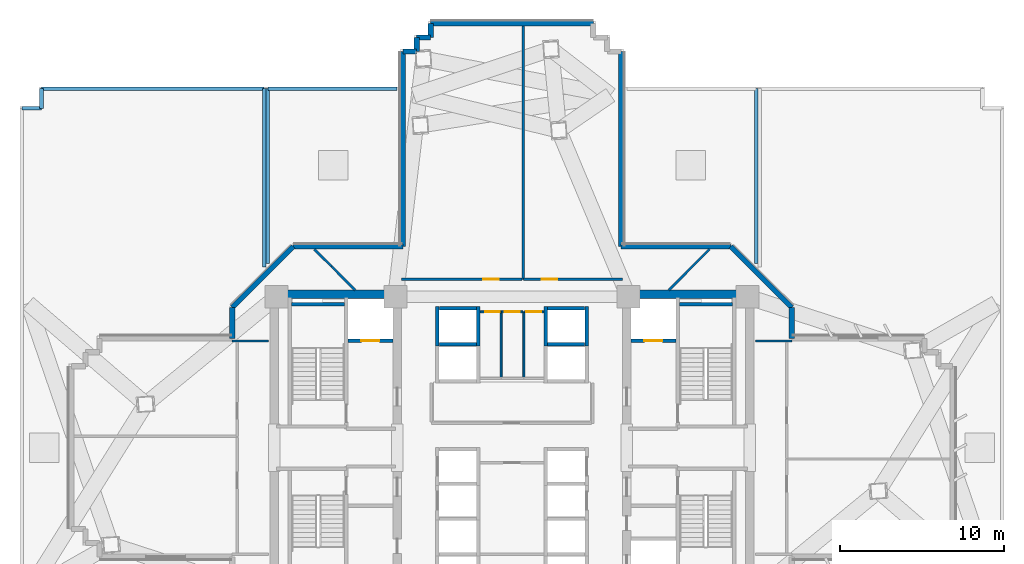
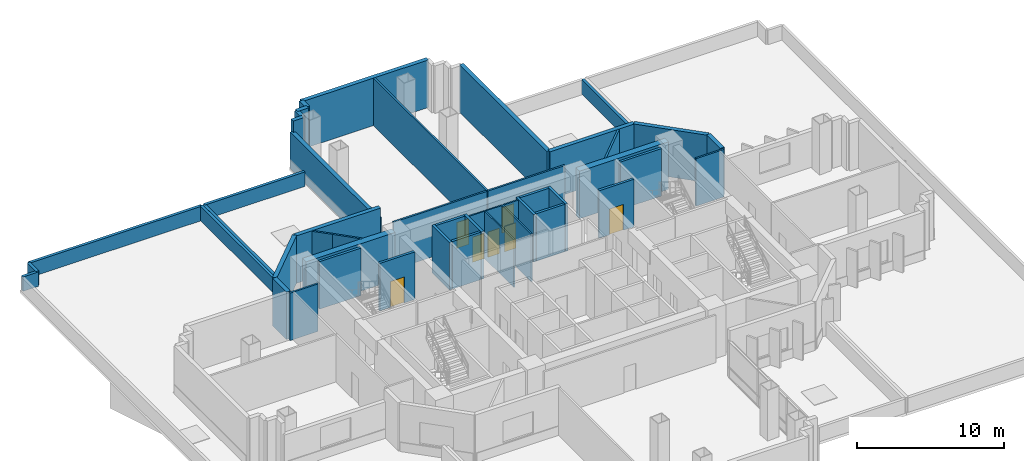
# One storey, part 10 of 15: 47 walls, 7 doors, 7 openings.
"""IFC4 building model written with IfcOpenShell, lengths in metres."""

from ifc_helpers import new_model, si_unit, direction, frame, frame_2d, origin, place, context, subcontext, project, spatial, rectangle, extrude, source, transform, mapped, material, layer, layer_set, type_object, element, fill, save


model = new_model("IFC4")

# Units and contexts
model_context = context("Model", 3, precision=1e-05, world=origin(), true_north=direction((0.0, 1.0)))
body_context = subcontext(model_context, "Body", "Model", "MODEL_VIEW")
ifc_project = project(units=[si_unit("LENGTHUNIT", "METRE"), si_unit("AREAUNIT", "SQUARE_METRE"), si_unit("VOLUMEUNIT", "CUBIC_METRE"), si_unit("PLANEANGLEUNIT", "RADIAN"), si_unit("MASSUNIT", "GRAM", prefix="KILO")], contexts=[model_context])

# Site, building, storey
site_placement = place(None, origin())
site = spatial("IfcSite", under=ifc_project, at=site_placement, CompositionType="ELEMENT")
building_placement = place(site_placement, origin())
building = spatial("IfcBuilding", under=site, at=building_placement, Name="Zahravan Cultural Tower", CompositionType="ELEMENT")
storey_placement = place(building_placement, frame((0.0, 0.0, 29.10009765625)))
storey = spatial("IfcBuildingStorey", under=building, at=storey_placement, Name="L05", CompositionType="ELEMENT", Elevation=29.10009765625)

# Wall, opening, door
ifc_material_1 = material(Name="Gypsum plasterboard partition")
ifc_layer_1 = layer(ifc_material_1, 0.139892578125)
ifc_layer_set_1 = layer_set([ifc_layer_1], Name="Gypsum plasterboard partition")
wall_type_1 = type_object("IfcWallType", Name="W-PART-140", PredefinedType="PARTITIONING", material=ifc_layer_set_1)
wall_1_placement = place(storey_placement, frame((42.742431640625, 37.259765625, 0.0), z_axis=(0.0, 0.0, 1.0), x_axis=(-0.999999999186, 4.0337219e-05, 0.0)))
wall_1 = element("IfcWall", 1, at=wall_1_placement, inside=storey, type_object=wall_type_1, Name="L05 Interior Wall 094", PredefinedType="PARTITIONING", context=body_context, shape_type="SweptSolid", body=[
    extrude(rectangle(XDim=6.052490234375, YDim=0.139892578125, at=frame_2d((3.0263671875, 0.0))), origin(), (0.0, 0.0, 1.0), 3.949951171875),
])
opening_1_placement = place(wall_1_placement, frame((3.97998046875, 0.0, 0.0)))
opening_1 = element("IfcOpeningElement", 2, at=opening_1_placement, cuts=wall_1, Name="Opening D-L05-18", PredefinedType="OPENING", context=body_context, shape_type="SweptSolid", body=[
    extrude(rectangle(XDim=0.949951171875, YDim=2.14990234375, at=frame_2d((0.47509765625, 1.074951171875))), frame((0.0, 0.079833984375, 0.0), z_axis=(0.0, -1.0, 0.0), x_axis=(1.0, 0.0, 0.0)), (0.0, 0.0, 1.0), 0.159912109375),
])
ifc_material_2 = material(Name="Anodised bronze-aluminium mullion", Category="aluminium")
door_type_1 = type_object("IfcDoorType", Name="DR-ROOM-950", OperationType="NOTDEFINED", PredefinedType="DOOR", material=ifc_material_2)
shared_shape_1 = source(origin(), body_context, "Body", "SweptSolid", [
    extrude(rectangle(XDim=0.949951171875, YDim=2.14990234375, at=frame_2d((0.47509765625, 1.074951171875))), frame((0.0, 0.02490234375, 0.0), z_axis=(0.0, -1.0, 0.0), x_axis=(1.0, 0.0, 0.0)), (0.0, 0.0, 1.0), 0.050048828125),
])
door_1_placement = place(opening_1_placement, origin())
door_1 = element("IfcDoor", 3, at=door_1_placement, inside=storey, type_object=door_type_1, Name="L05 Door D-L05-18", OperationType="SINGLE_SWING_LEFT", OverallHeight=2.14990234375, OverallWidth=0.949951171875, PredefinedType="DOOR", context=body_context, shape_type="MappedRepresentation", body=[
    mapped(shared_shape_1, transform((0.0, 0.0, 0.0), x_axis=(1.0, 0.0, 0.0), y_axis=(0.0, 1.0, 0.0), z_axis=(0.0, 0.0, 1.0), scale=1.0)),
])
fill(opening_1, door_1)

wall_2_placement = place(storey_placement, frame((36.614990234375, 37.260009765625, 0.0), z_axis=(0.0, 0.0, 1.0), x_axis=(-0.999999999449, -3.3182904e-05, 0.0)))
wall_2 = element("IfcWall", 4, at=wall_2_placement, inside=storey, type_object=wall_type_1, Name="L05 Interior Wall 096", PredefinedType="PARTITIONING", context=body_context, shape_type="SweptSolid", body=[
    extrude(rectangle(XDim=7.357421875, YDim=0.139892578125, at=frame_2d((3.6787109375, 0.0))), origin(), (0.0, 0.0, 1.0), 3.949951171875),
])
opening_2_placement = place(wall_2_placement, frame((1.40966796875, 0.0, 0.0)))
opening_2 = element("IfcOpeningElement", 5, at=opening_2_placement, cuts=wall_2, Name="Opening D-L05-19", PredefinedType="OPENING", context=body_context, shape_type="SweptSolid", body=[
    extrude(rectangle(XDim=0.949951171875, YDim=2.14990234375, at=frame_2d((0.47509765625, 1.074951171875))), frame((0.0, 0.079833984375, 0.0), z_axis=(0.0, -1.0, 0.0), x_axis=(1.0, 0.0, 0.0)), (0.0, 0.0, 1.0), 0.159912109375),
])
door_2_placement = place(opening_2_placement, origin())
door_2 = element("IfcDoor", 6, at=door_2_placement, inside=storey, type_object=door_type_1, Name="L05 Door D-L05-19", OperationType="SINGLE_SWING_RIGHT", OverallHeight=2.14990234375, OverallWidth=0.949951171875, PredefinedType="DOOR", context=body_context, shape_type="MappedRepresentation", body=[
    mapped(shared_shape_1, transform((0.0, 0.0, 0.0), x_axis=(1.0, 0.0, 0.0), y_axis=(0.0, 1.0, 0.0), z_axis=(0.0, 0.0, 1.0), scale=1.0)),
])
fill(opening_2, door_2)

ifc_material_3 = material(Name="Concrete C45/55", Category="concrete")
ifc_layer_2 = layer(ifc_material_3, 0.199951171875)
ifc_layer_set_2 = layer_set([ifc_layer_2], Name="Concrete C45/55")
wall_type_2 = type_object("IfcWallType", Name="W-SHAFT-200", PredefinedType="SOLIDWALL", material=ifc_layer_set_2)
wall_3_placement = place(storey_placement, frame((26.0, 33.52001953125, 0.0), z_axis=(0.0, 0.0, 1.0), x_axis=(1.0, 0.0, 0.0)))
wall_3 = element("IfcWall", 7, at=wall_3_placement, inside=storey, type_object=wall_type_2, Name="L05 Interior Wall 021", PredefinedType="SOLIDWALL", context=body_context, shape_type="SweptSolid", body=[
    extrude(rectangle(XDim=2.75, YDim=0.199951171875, at=frame_2d((1.375, 0.0))), origin(), (0.0, 0.0, 1.0), 3.949951171875),
])
opening_3_placement = place(wall_3_placement, frame((0.820068359375, 0.0, 0.0)))
opening_3 = element("IfcOpeningElement", 8, at=opening_3_placement, cuts=wall_3, Name="Opening LD-L05-01", PredefinedType="OPENING", context=body_context, shape_type="SweptSolid", body=[
    extrude(rectangle(XDim=1.10009765625, YDim=2.14990234375, at=frame_2d((0.550048828125, 1.074951171875))), frame((0.0, 0.10986328125, 0.0), z_axis=(0.0, -1.0, 0.0), x_axis=(1.0, 0.0, 0.0)), (0.0, 0.0, 1.0), 0.219970703125),
])
ifc_material_4 = material(Name="Steel ASTM A572 Grade 50", Category="steel")
door_type_2 = type_object("IfcDoorType", Name="DR-LIFT-1100", OperationType="DOUBLE_DOOR_SLIDING", PredefinedType="DOOR", material=ifc_material_4)
shared_shape_2 = source(origin(), body_context, "Body", "SweptSolid", [
    extrude(rectangle(XDim=1.10009765625, YDim=2.14990234375, at=frame_2d((0.550048828125, 1.074951171875))), frame((0.0, 0.02490234375, 0.0), z_axis=(0.0, -1.0, 0.0), x_axis=(1.0, 0.0, 0.0)), (0.0, 0.0, 1.0), 0.050048828125),
])
door_3_placement = place(opening_3_placement, origin())
door_3 = element("IfcDoor", 9, at=door_3_placement, inside=storey, type_object=door_type_2, Name="L05 Door LD-L05-01", OperationType="DOUBLE_DOOR_SLIDING", OverallHeight=2.14990234375, OverallWidth=1.10009765625, PredefinedType="DOOR", context=body_context, shape_type="MappedRepresentation", body=[
    mapped(shared_shape_2, transform((0.0, 0.0, 0.0), x_axis=(1.0, 0.0, 0.0), y_axis=(0.0, 1.0, 0.0), z_axis=(0.0, 0.0, 1.0), scale=1.0)),
])
fill(opening_3, door_3)

wall_4_placement = place(storey_placement, frame((43.25, 33.52001953125, 0.0), z_axis=(0.0, 0.0, 1.0), x_axis=(1.0, 0.0, 0.0)))
wall_4 = element("IfcWall", 10, at=wall_4_placement, inside=storey, type_object=wall_type_2, Name="L05 Interior Wall 022", PredefinedType="SOLIDWALL", context=body_context, shape_type="SweptSolid", body=[
    extrude(rectangle(XDim=2.75, YDim=0.199951171875, at=frame_2d((1.375, 0.0))), origin(), (0.0, 0.0, 1.0), 3.949951171875),
])
opening_4_placement = place(wall_4_placement, frame((0.820068359375, 0.0, 0.0)))
opening_4 = element("IfcOpeningElement", 11, at=opening_4_placement, cuts=wall_4, Name="Opening LD-L05-02", PredefinedType="OPENING", context=body_context, shape_type="SweptSolid", body=[
    extrude(rectangle(XDim=1.10009765625, YDim=2.14990234375, at=frame_2d((0.550048828125, 1.074951171875))), frame((0.0, 0.10986328125, 0.0), z_axis=(0.0, -1.0, 0.0), x_axis=(1.0, 0.0, 0.0)), (0.0, 0.0, 1.0), 0.219970703125),
])
door_4_placement = place(opening_4_placement, origin())
door_4 = element("IfcDoor", 12, at=door_4_placement, inside=storey, type_object=door_type_2, Name="L05 Door LD-L05-02", OperationType="DOUBLE_DOOR_SLIDING", OverallHeight=2.14990234375, OverallWidth=1.10009765625, PredefinedType="DOOR", context=body_context, shape_type="MappedRepresentation", body=[
    mapped(shared_shape_2, transform((0.0, 0.0, 0.0), x_axis=(1.0, 0.0, 0.0), y_axis=(0.0, 1.0, 0.0), z_axis=(0.0, 0.0, 1.0), scale=1.0)),
])
fill(opening_4, door_4)

ifc_layer_3 = layer(ifc_material_1, 0.114990234375)
ifc_layer_set_3 = layer_set([ifc_layer_3], Name="Gypsum plasterboard partition")
wall_type_3 = type_object("IfcWallType", Name="W-WC-115", PredefinedType="PARTITIONING", material=ifc_layer_set_3)
wall_5_placement = place(storey_placement, frame((36.782470703125, 35.280029296875, 0.0), z_axis=(0.0, 0.0, 1.0), x_axis=(1.0, 0.0, 0.0)))
wall_5 = element("IfcWall", 13, at=wall_5_placement, inside=storey, type_object=wall_type_3, Name="L05 Interior Wall 068", PredefinedType="PARTITIONING", context=body_context, shape_type="SweptSolid", body=[
    extrude(rectangle(XDim=1.16259765625, YDim=0.114990234375, at=frame_2d((0.581298828125, 0.0))), origin(), (0.0, 0.0, 1.0), 3.949951171875),
])
opening_5_placement = place(wall_5_placement, frame((0.0888671875, 0.0, 0.0)))
opening_5 = element("IfcOpeningElement", 14, at=opening_5_placement, cuts=wall_5, Name="Opening D-L05-13", PredefinedType="OPENING", context=body_context, shape_type="SweptSolid", body=[
    extrude(rectangle(XDim=0.89990234375, YDim=2.10009765625, at=frame_2d((0.449951171875, 1.050048828125))), frame((0.0, 0.0673828125, 0.0), z_axis=(0.0, -1.0, 0.0), x_axis=(1.0, 0.0, 0.0)), (0.0, 0.0, 1.0), 0.135009765625),
])
door_type_3 = type_object("IfcDoorType", Name="DR-WC-900", OperationType="NOTDEFINED", PredefinedType="DOOR", material=ifc_material_2)
shared_shape_3 = source(origin(), body_context, "Body", "SweptSolid", [
    extrude(rectangle(XDim=0.89990234375, YDim=2.10009765625, at=frame_2d((0.449951171875, 1.050048828125))), frame((0.0, 0.02490234375, 0.0), z_axis=(0.0, -1.0, 0.0), x_axis=(1.0, 0.0, 0.0)), (0.0, 0.0, 1.0), 0.050048828125),
])
door_5_placement = place(opening_5_placement, origin())
door_5 = element("IfcDoor", 15, at=door_5_placement, inside=storey, type_object=door_type_3, Name="L05 Door D-L05-13", OperationType="SINGLE_SWING_RIGHT", OverallHeight=2.10009765625, OverallWidth=0.89990234375, PredefinedType="DOOR", context=body_context, shape_type="MappedRepresentation", body=[
    mapped(shared_shape_3, transform((0.0, 0.0, 0.0), x_axis=(1.0, 0.0, 0.0), y_axis=(0.0, 1.0, 0.0), z_axis=(0.0, 0.0, 1.0), scale=1.0)),
])
fill(opening_5, door_5)

wall_6_placement = place(storey_placement, frame((34.054931640625, 35.280029296875, 0.0), z_axis=(0.0, 0.0, 1.0), x_axis=(1.0, 0.0, 0.0)))
wall_6 = element("IfcWall", 16, at=wall_6_placement, inside=storey, type_object=wall_type_3, Name="L05 Interior Wall 070", PredefinedType="PARTITIONING", context=body_context, shape_type="SweptSolid", body=[
    extrude(rectangle(XDim=1.28515625, YDim=0.114990234375, at=frame_2d((0.642578125, 0.0))), origin(), (0.0, 0.0, 1.0), 3.949951171875),
])
opening_6_placement = place(wall_6_placement, frame((0.30029296875, 0.0, 0.0)))
opening_6 = element("IfcOpeningElement", 17, at=opening_6_placement, cuts=wall_6, Name="Opening D-L05-11", PredefinedType="OPENING", context=body_context, shape_type="SweptSolid", body=[
    extrude(rectangle(XDim=0.89990234375, YDim=2.10009765625, at=frame_2d((0.449951171875, 1.050048828125))), frame((0.0, 0.0673828125, 0.0), z_axis=(0.0, -1.0, 0.0), x_axis=(1.0, 0.0, 0.0)), (0.0, 0.0, 1.0), 0.135009765625),
])
door_6_placement = place(opening_6_placement, origin())
door_6 = element("IfcDoor", 18, at=door_6_placement, inside=storey, type_object=door_type_3, Name="L05 Door D-L05-11", OperationType="SINGLE_SWING_RIGHT", OverallHeight=2.10009765625, OverallWidth=0.89990234375, PredefinedType="DOOR", context=body_context, shape_type="MappedRepresentation", body=[
    mapped(shared_shape_3, transform((0.0, 0.0, 0.0), x_axis=(1.0, 0.0, 0.0), y_axis=(0.0, 1.0, 0.0), z_axis=(0.0, 0.0, 1.0), scale=1.0)),
])
fill(opening_6, door_6)

wall_7_placement = place(storey_placement, frame((35.360107421875, 35.280029296875, 0.0), z_axis=(0.0, 0.0, 1.0), x_axis=(1.0, 0.0, 0.0)))
wall_7 = element("IfcWall", 19, at=wall_7_placement, inside=storey, type_object=wall_type_3, Name="L05 Interior Wall 073", PredefinedType="PARTITIONING", context=body_context, shape_type="SweptSolid", body=[
    extrude(rectangle(XDim=1.29736328125, YDim=0.114990234375, at=frame_2d((0.648681640625, 0.0))), origin(), (0.0, 0.0, 1.0), 3.949951171875),
])
opening_7_placement = place(wall_7_placement, frame((0.19873046875, 0.0, 0.0)))
opening_7 = element("IfcOpeningElement", 20, at=opening_7_placement, cuts=wall_7, Name="Opening D-L05-12", PredefinedType="OPENING", context=body_context, shape_type="SweptSolid", body=[
    extrude(rectangle(XDim=0.89990234375, YDim=2.10009765625, at=frame_2d((0.449951171875, 1.050048828125))), frame((0.0, 0.0673828125, 0.0), z_axis=(0.0, -1.0, 0.0), x_axis=(1.0, 0.0, 0.0)), (0.0, 0.0, 1.0), 0.135009765625),
])
door_7_placement = place(opening_7_placement, origin())
door_7 = element("IfcDoor", 21, at=door_7_placement, inside=storey, type_object=door_type_3, Name="L05 Door D-L05-12", OperationType="SINGLE_SWING_LEFT", OverallHeight=2.10009765625, OverallWidth=0.89990234375, PredefinedType="DOOR", context=body_context, shape_type="MappedRepresentation", body=[
    mapped(shared_shape_3, transform((0.0, 0.0, 0.0), x_axis=(1.0, 0.0, 0.0), y_axis=(0.0, 1.0, 0.0), z_axis=(0.0, 0.0, 1.0), scale=1.0)),
])
fill(opening_7, door_7)

# Walls
ifc_material_5 = material(Name="Concrete C60/75", Category="concrete")
ifc_layer_4 = layer(ifc_material_5, 0.5)
ifc_layer_set_4 = layer_set([ifc_layer_4], Name="Concrete C60/75")
wall_type_4 = type_object("IfcWallType", Name="CW-SHEAR-500-C60", PredefinedType="SHEAR", material=ifc_layer_set_4)
shared_shape_4 = source(origin(), body_context, "Body", "SweptSolid", [
    extrude(rectangle(XDim=7.0, YDim=0.5, at=frame_2d((3.5, 0.0))), origin(), (0.0, 0.0, 1.0), 3.949951171875),
])
for number, where, z_axis, x_axis, name in (
    (22, (21.75, 36.35009765625, 0.0), (0.0, 0.0, 1.0), (1.0, 0.0, 0.0), "L05 Core Shear Wall CW-W-N-L05"),
    (23, (43.25, 36.35009765625, 0.0), (0.0, 0.0, 1.0), (1.0, 0.0, 0.0), "L05 Core Shear Wall CW-E-N-L05"),
):
    element("IfcWall", number, at=place(storey_placement, frame(where, z_axis=z_axis, x_axis=x_axis)), inside=storey, type_object=wall_type_4, Name=name, PredefinedType="SHEAR", context=body_context, shape_type="MappedRepresentation", body=[
        mapped(shared_shape_4, transform((0.0, 0.0, 0.0), x_axis=(1.0, 0.0, 0.0), y_axis=(0.0, 1.0, 0.0), z_axis=(0.0, 0.0, 1.0), scale=1.0)),
    ])
ifc_material_6 = material(Name="Precast concrete C40/50", Category="concrete")
ifc_layer_5 = layer(ifc_material_6, 0.219970703125)
ifc_layer_set_5 = layer_set([ifc_layer_5], Name="Precast concrete C40/50")
wall_type_5 = type_object("IfcWallType", Name="EW-PARAPET-220", PredefinedType="PARAPET", material=ifc_layer_set_5)
shared_shape_5 = source(origin(), body_context, "Body", "SweptSolid", [
    extrude(rectangle(XDim=1.199951171875, YDim=0.219970703125, at=frame_2d((0.60009765625, 0.0))), origin(), (0.0, 0.0, 1.0), 1.199951171875),
])
for number, where, z_axis, x_axis, name in (
    (24, (6.110107421875, 47.68994140625, 0.0), (0.0, 0.0, 1.0), (1.0, 0.0, 0.0), "L05 Setback Roof Parapet 3"),
    (25, (7.31005859375, 47.68994140625, 0.0), (0.0, 0.0, 1.0), (0.0, 1.0, 0.0), "L05 Setback Roof Parapet 4"),
):
    element("IfcWall", number, at=place(storey_placement, frame(where, z_axis=z_axis, x_axis=x_axis)), inside=storey, type_object=wall_type_5, Name=name, PredefinedType="PARAPET", context=body_context, shape_type="MappedRepresentation", body=[
        mapped(shared_shape_5, transform((0.0, 0.0, 0.0), x_axis=(1.0, 0.0, 0.0), y_axis=(0.0, 1.0, 0.0), z_axis=(0.0, 0.0, 1.0), scale=1.0)),
    ])
shared_shape_6 = source(origin(), body_context, "Body", "SweptSolid", [
    extrude(rectangle(XDim=13.579833984375, YDim=0.219970703125, at=frame_2d((6.7900390625, 0.0))), origin(), (0.0, 0.0, 1.0), 1.199951171875),
])
wall_8_placement = place(storey_placement, frame((7.31005859375, 48.889892578125, 0.0), z_axis=(0.0, 0.0, 1.0), x_axis=(1.0, 0.0, 0.0)))
element("IfcWall", 26, at=wall_8_placement, inside=storey, type_object=wall_type_5, Name="L05 Setback Roof Parapet 5", PredefinedType="PARAPET", context=body_context, shape_type="MappedRepresentation", body=[
    mapped(shared_shape_6, transform((0.0, 0.0, 0.0), x_axis=(1.0, 0.0, 0.0), y_axis=(0.0, 1.0, 0.0), z_axis=(0.0, 0.0, 1.0), scale=1.0)),
])
shared_shape_7 = source(origin(), body_context, "Body", "SweptSolid", [
    extrude(rectangle(XDim=10.888671875, YDim=0.219970703125, at=frame_2d((5.4443359375, 0.0))), origin(), (0.0, 0.0, 1.0), 1.199951171875),
])
wall_9_placement = place(storey_placement, frame((20.889892578125, 48.889892578125, 0.0), z_axis=(0.0, 0.0, 1.0), x_axis=(0.0, -1.0, 0.0)))
element("IfcWall", 27, at=wall_9_placement, inside=storey, type_object=wall_type_5, Name="L05 Setback Roof Parapet 6", PredefinedType="PARAPET", context=body_context, shape_type="MappedRepresentation", body=[
    mapped(shared_shape_7, transform((0.0, 0.0, 0.0), x_axis=(1.0, 0.0, 0.0), y_axis=(0.0, 1.0, 0.0), z_axis=(0.0, 0.0, 1.0), scale=1.0)),
])
shared_shape_8 = source(origin(), body_context, "Body", "SweptSolid", [
    extrude(rectangle(XDim=7.869873046875, YDim=0.219970703125, at=frame_2d((3.93505859375, 0.0))), origin(), (0.0, 0.0, 1.0), 1.199951171875),
])
wall_10_placement = place(storey_placement, frame((21.110107421875, 48.889892578125, 0.0), z_axis=(0.0, 0.0, 1.0), x_axis=(1.0, 0.0, 0.0)))
element("IfcWall", 28, at=wall_10_placement, inside=storey, type_object=wall_type_5, Name="L05 Setback Roof Parapet 1", PredefinedType="PARAPET", context=body_context, shape_type="MappedRepresentation", body=[
    mapped(shared_shape_8, transform((0.0, 0.0, 0.0), x_axis=(1.0, 0.0, 0.0), y_axis=(0.0, 1.0, 0.0), z_axis=(0.0, 0.0, 1.0), scale=1.0)),
])
shared_shape_9 = source(origin(), body_context, "Body", "SweptSolid", [
    extrude(rectangle(XDim=10.668701171875, YDim=0.219970703125, at=frame_2d((5.33447265625, 0.0))), origin(), (0.0, 0.0, 1.0), 1.199951171875),
])
for number, where, z_axis, x_axis, name in (
    (29, (50.889892578125, 48.889892578125, 0.0), (0.0, 0.0, 1.0), (0.0, -1.0, 0.0), "L05 Setback Roof Parapet 2"),
    (30, (21.110107421875, 38.22119140625, 0.0), (0.0, 0.0, 1.0), (0.0, 1.0, 0.0), "L05 Setback Roof Parapet 2"),
):
    element("IfcWall", number, at=place(storey_placement, frame(where, z_axis=z_axis, x_axis=x_axis)), inside=storey, type_object=wall_type_5, Name=name, PredefinedType="PARAPET", context=body_context, shape_type="MappedRepresentation", body=[
        mapped(shared_shape_9, transform((0.0, 0.0, 0.0), x_axis=(1.0, 0.0, 0.0), y_axis=(0.0, 1.0, 0.0), z_axis=(0.0, 0.0, 1.0), scale=1.0)),
    ])
ifc_layer_6 = layer(ifc_material_6, 0.320068359375)
ifc_layer_set_6 = layer_set([ifc_layer_6], Name="Precast concrete C40/50")
wall_type_6 = type_object("IfcWallType", Name="EW-TC-320", PredefinedType="SOLIDWALL", material=ifc_layer_set_6)
shared_shape_10 = source(origin(), body_context, "Body", "SweptSolid", [
    extrude(rectangle(XDim=0.849853515625, YDim=0.320068359375, at=frame_2d((0.4248046875, 0.0))), origin(), (0.0, 0.0, 1.0), 3.949951171875),
])
wall_11_placement = place(storey_placement, frame((29.340087890625, 51.159912109375, 0.0), z_axis=(0.0, 0.0, 1.0), x_axis=(1.0, 0.0, 0.0)))
element("IfcWall", 31, at=wall_11_placement, inside=storey, type_object=wall_type_6, Name="L05 Exterior Masonry Frame Wall 42", PredefinedType="SOLIDWALL", context=body_context, shape_type="MappedRepresentation", body=[
    mapped(shared_shape_10, transform((0.0, 0.0, 0.0), x_axis=(1.0, 0.0, 0.0), y_axis=(0.0, 1.0, 0.0), z_axis=(0.0, 0.0, 1.0), scale=1.0)),
])
shared_shape_11 = source(origin(), body_context, "Body", "SweptSolid", [
    extrude(rectangle(XDim=0.85009765625, YDim=0.320068359375, at=frame_2d((0.425048828125, 0.0))), origin(), (0.0, 0.0, 1.0), 3.949951171875),
])
for number, where, z_axis, x_axis, name in (
    (32, (30.18994140625, 51.159912109375, 0.0), (0.0, 0.0, 1.0), (0.0, 1.0, 0.0), "L05 Exterior Masonry Frame Wall 43"),
    (33, (30.18994140625, 52.010009765625, 0.0), (0.0, 0.0, 1.0), (1.0, 0.0, 0.0), "L05 Exterior Masonry Frame Wall 44"),
    (34, (31.0400390625, 52.010009765625, 0.0), (0.0, 0.0, 1.0), (0.0, 1.0, 0.0), "L05 Exterior Masonry Frame Wall 45"),
):
    element("IfcWall", number, at=place(storey_placement, frame(where, z_axis=z_axis, x_axis=x_axis)), inside=storey, type_object=wall_type_6, Name=name, PredefinedType="SOLIDWALL", context=body_context, shape_type="MappedRepresentation", body=[
        mapped(shared_shape_11, transform((0.0, 0.0, 0.0), x_axis=(1.0, 0.0, 0.0), y_axis=(0.0, 1.0, 0.0), z_axis=(0.0, 0.0, 1.0), scale=1.0)),
    ])
shared_shape_12 = source(origin(), body_context, "Body", "SweptSolid", [
    extrude(rectangle(XDim=9.919921875, YDim=0.320068359375, at=frame_2d((4.9599609375, 0.0))), origin(), (0.0, 0.0, 1.0), 3.949951171875),
])
wall_12_placement = place(storey_placement, frame((31.0400390625, 52.860107421875, 0.0), z_axis=(0.0, 0.0, 1.0), x_axis=(1.0, 0.0, 0.0)))
element("IfcWall", 35, at=wall_12_placement, inside=storey, type_object=wall_type_6, Name="L05 Exterior Masonry Frame Wall 46", PredefinedType="SOLIDWALL", context=body_context, shape_type="MappedRepresentation", body=[
    mapped(shared_shape_12, transform((0.0, 0.0, 0.0), x_axis=(1.0, 0.0, 0.0), y_axis=(0.0, 1.0, 0.0), z_axis=(0.0, 0.0, 1.0), scale=1.0)),
])
shared_shape_13 = source(origin(), body_context, "Body", "SweptSolid", [
    extrude(rectangle(XDim=1.882080078125, YDim=0.320068359375, at=frame_2d((0.94091796875, 0.0))), origin(), (0.0, 0.0, 1.0), 3.949951171875),
])
for number, where, z_axis, x_axis, name in (
    (36, (18.93994140625, 33.659912109375, 0.0), (0.0, 0.0, 1.0), (0.0, 1.0, 0.0), "L05 Exterior Masonry Frame Wall 38"),
    (37, (53.06005859375, 35.5419921875, 0.0), (0.0, 0.0, 1.0), (0.0, -1.0, 0.0), "L05 Exterior Masonry Frame Wall 54"),
):
    element("IfcWall", number, at=place(storey_placement, frame(where, z_axis=z_axis, x_axis=x_axis)), inside=storey, type_object=wall_type_6, Name=name, PredefinedType="SOLIDWALL", context=body_context, shape_type="MappedRepresentation", body=[
        mapped(shared_shape_13, transform((0.0, 0.0, 0.0), x_axis=(1.0, 0.0, 0.0), y_axis=(0.0, 1.0, 0.0), z_axis=(0.0, 0.0, 1.0), scale=1.0)),
    ])
shared_shape_14 = source(origin(), body_context, "Body", "SweptSolid", [
    extrude(rectangle(XDim=5.258056640625, YDim=0.320068359375, at=frame_2d((2.62890625, 0.0))), origin(), (0.0, 0.0, 1.0), 3.949951171875),
])
for number, where, z_axis, x_axis, name in (
    (38, (18.93994140625, 35.5419921875, 0.0), (0.0, 0.0, 1.0), (0.707106781187, 0.707106781187, 0.0), "L05 Exterior Masonry Frame Wall 39"),
    (39, (49.342041015625, 39.260009765625, 0.0), (0.0, 0.0, 1.0), (0.707106781187, -0.707106781187, 0.0), "L05 Exterior Masonry Frame Wall 53"),
):
    element("IfcWall", number, at=place(storey_placement, frame(where, z_axis=z_axis, x_axis=x_axis)), inside=storey, type_object=wall_type_6, Name=name, PredefinedType="SOLIDWALL", context=body_context, shape_type="MappedRepresentation", body=[
        mapped(shared_shape_14, transform((0.0, 0.0, 0.0), x_axis=(1.0, 0.0, 0.0), y_axis=(0.0, 1.0, 0.0), z_axis=(0.0, 0.0, 1.0), scale=1.0)),
    ])
shared_shape_15 = source(origin(), body_context, "Body", "SweptSolid", [
    extrude(rectangle(XDim=6.68212890625, YDim=0.320068359375, at=frame_2d((3.341064453125, 0.0))), origin(), (0.0, 0.0, 1.0), 3.949951171875),
])
for number, where, z_axis, x_axis, name in (
    (40, (22.657958984375, 39.260009765625, 0.0), (0.0, 0.0, 1.0), (1.0, 0.0, 0.0), "L05 Exterior Masonry Frame Wall 40"),
    (41, (42.659912109375, 39.260009765625, 0.0), (0.0, 0.0, 1.0), (1.0, 0.0, 0.0), "L05 Exterior Masonry Frame Wall 52"),
):
    element("IfcWall", number, at=place(storey_placement, frame(where, z_axis=z_axis, x_axis=x_axis)), inside=storey, type_object=wall_type_6, Name=name, PredefinedType="SOLIDWALL", context=body_context, shape_type="MappedRepresentation", body=[
        mapped(shared_shape_15, transform((0.0, 0.0, 0.0), x_axis=(1.0, 0.0, 0.0), y_axis=(0.0, 1.0, 0.0), z_axis=(0.0, 0.0, 1.0), scale=1.0)),
    ])
shared_shape_16 = source(origin(), body_context, "Body", "SweptSolid", [
    extrude(rectangle(XDim=11.89990234375, YDim=0.320068359375, at=frame_2d((5.949951171875, 0.0))), origin(), (0.0, 0.0, 1.0), 3.010009765625),
])
wall_13_placement = place(storey_placement, frame((29.340087890625, 39.260009765625, 0.0), z_axis=(0.0, 0.0, 1.0), x_axis=(0.0, 1.0, 0.0)))
element("IfcWall", 42, at=wall_13_placement, inside=storey, type_object=wall_type_6, Name="L05 Exterior Masonry Frame Wall 41", PredefinedType="SOLIDWALL", context=body_context, shape_type="MappedRepresentation", body=[
    mapped(shared_shape_16, transform((0.0, 0.0, 0.0), x_axis=(1.0, 0.0, 0.0), y_axis=(0.0, 1.0, 0.0), z_axis=(0.0, 0.0, 1.0), scale=1.0)),
])
shared_shape_17 = source(origin(), body_context, "Body", "SweptSolid", [
    extrude(rectangle(XDim=11.89990234375, YDim=0.320068359375, at=frame_2d((5.949951171875, 0.0))), origin(), (0.0, 0.0, 1.0), 3.949951171875),
])
wall_14_placement = place(storey_placement, frame((42.659912109375, 51.159912109375, 0.0), z_axis=(0.0, 0.0, 1.0), x_axis=(0.0, -1.0, 0.0)))
element("IfcWall", 43, at=wall_14_placement, inside=storey, type_object=wall_type_6, Name="L05 Exterior Masonry Frame Wall 51", PredefinedType="SOLIDWALL", context=body_context, shape_type="MappedRepresentation", body=[
    mapped(shared_shape_17, transform((0.0, 0.0, 0.0), x_axis=(1.0, 0.0, 0.0), y_axis=(0.0, 1.0, 0.0), z_axis=(0.0, 0.0, 1.0), scale=1.0)),
])
shared_shape_18 = source(origin(), body_context, "Body", "SweptSolid", [
    extrude(rectangle(XDim=3.25, YDim=0.199951171875, at=frame_2d((1.625, 0.0))), origin(), (0.0, 0.0, 1.0), 3.949951171875),
])
for number, where, z_axis, x_axis, name in (
    (44, (22.550048828125, 35.75, 0.0), (0.0, 0.0, 1.0), (1.0, 0.0, 0.0), "L05 Interior Wall 017"),
    (45, (46.199951171875, 35.75, 0.0), (0.0, 0.0, 1.0), (1.0, 0.0, 0.0), "L05 Interior Wall 018"),
):
    element("IfcWall", number, at=place(storey_placement, frame(where, z_axis=z_axis, x_axis=x_axis)), inside=storey, type_object=wall_type_2, Name=name, PredefinedType="SOLIDWALL", context=body_context, shape_type="MappedRepresentation", body=[
        mapped(shared_shape_18, transform((0.0, 0.0, 0.0), x_axis=(1.0, 0.0, 0.0), y_axis=(0.0, 1.0, 0.0), z_axis=(0.0, 0.0, 1.0), scale=1.0)),
    ])
shared_shape_19 = source(origin(), body_context, "Body", "SweptSolid", [
    extrude(rectangle(XDim=2.400146484375, YDim=0.199951171875, at=frame_2d((1.2001953125, 0.0))), origin(), (0.0, 0.0, 1.0), 3.949951171875),
])
for number, where, z_axis, x_axis, name in (
    (46, (31.449951171875, 33.199951171875, 0.0), (0.0, 0.0, 1.0), (0.0, 1.0, 0.0), "L05 Interior Wall 026"),
    (47, (33.949951171875, 33.199951171875, 0.0), (0.0, 0.0, 1.0), (0.0, 1.0, 0.0), "L05 Interior Wall 027"),
    (48, (38.050048828125, 33.199951171875, 0.0), (0.0, 0.0, 1.0), (0.0, 1.0, 0.0), "L05 Interior Wall 033"),
    (49, (40.550048828125, 33.199951171875, 0.0), (0.0, 0.0, 1.0), (0.0, 1.0, 0.0), "L05 Interior Wall 034"),
):
    element("IfcWall", number, at=place(storey_placement, frame(where, z_axis=z_axis, x_axis=x_axis)), inside=storey, type_object=wall_type_2, Name=name, PredefinedType="SOLIDWALL", context=body_context, shape_type="MappedRepresentation", body=[
        mapped(shared_shape_19, transform((0.0, 0.0, 0.0), x_axis=(1.0, 0.0, 0.0), y_axis=(0.0, 1.0, 0.0), z_axis=(0.0, 0.0, 1.0), scale=1.0)),
    ])
shared_shape_20 = source(origin(), body_context, "Body", "SweptSolid", [
    extrude(rectangle(XDim=2.260009765625, YDim=0.199951171875, at=frame_2d((1.1298828125, 0.0))), origin(), (0.0, 0.0, 1.0), 3.949951171875),
])
for number, where, z_axis, x_axis, name in (
    (50, (31.570068359375, 33.300048828125, 0.0), (0.0, 0.0, 1.0), (1.0, 0.0, 0.0), "L05 Interior Wall 028"),
    (51, (31.570068359375, 35.5, 0.0), (0.0, 0.0, 1.0), (1.0, 0.0, 0.0), "L05 Interior Wall 029"),
    (52, (38.169921875, 33.300048828125, 0.0), (0.0, 0.0, 1.0), (1.0, 0.0, 0.0), "L05 Interior Wall 035"),
    (53, (38.169921875, 35.5, 0.0), (0.0, 0.0, 1.0), (1.0, 0.0, 0.0), "L05 Interior Wall 036"),
):
    element("IfcWall", number, at=place(storey_placement, frame(where, z_axis=z_axis, x_axis=x_axis)), inside=storey, type_object=wall_type_2, Name=name, PredefinedType="SOLIDWALL", context=body_context, shape_type="MappedRepresentation", body=[
        mapped(shared_shape_20, transform((0.0, 0.0, 0.0), x_axis=(1.0, 0.0, 0.0), y_axis=(0.0, 1.0, 0.0), z_axis=(0.0, 0.0, 1.0), scale=1.0)),
    ])
shared_shape_21 = source(origin(), body_context, "Body", "SweptSolid", [
    extrude(rectangle(XDim=3.99755859375, YDim=0.114990234375, at=frame_2d((1.998779296875, 0.0))), origin(), (0.0, 0.0, 1.0), 3.949951171875),
])
wall_15_placement = place(storey_placement, frame((36.719970703125, 31.282470703125, 0.0), z_axis=(0.0, 0.0, 1.0), x_axis=(0.0, 1.0, 0.0)))
element("IfcWall", 54, at=wall_15_placement, inside=storey, type_object=wall_type_3, Name="L05 Interior Wall 067", PredefinedType="PARTITIONING", context=body_context, shape_type="MappedRepresentation", body=[
    mapped(shared_shape_21, transform((0.0, 0.0, 0.0), x_axis=(1.0, 0.0, 0.0), y_axis=(0.0, 1.0, 0.0), z_axis=(0.0, 0.0, 1.0), scale=1.0)),
])
shared_shape_22 = source(origin(), body_context, "Body", "SweptSolid", [
    extrude(rectangle(XDim=3.93505859375, YDim=0.114990234375, at=frame_2d((1.967529296875, 0.0))), origin(), (0.0, 0.0, 1.0), 3.949951171875),
])
wall_16_placement = place(storey_placement, frame((35.340087890625, 35.217529296875, 0.0), z_axis=(0.0, 0.0, 1.0), x_axis=(0.0, -1.0, 0.0)))
element("IfcWall", 55, at=wall_16_placement, inside=storey, type_object=wall_type_3, Name="L05 Interior Wall 071", PredefinedType="PARTITIONING", context=body_context, shape_type="MappedRepresentation", body=[
    mapped(shared_shape_22, transform((0.0, 0.0, 0.0), x_axis=(1.0, 0.0, 0.0), y_axis=(0.0, 1.0, 0.0), z_axis=(0.0, 0.0, 1.0), scale=1.0)),
])
shared_shape_23 = source(origin(), body_context, "Body", "SweptSolid", [
    extrude(rectangle(XDim=1.471435546875, YDim=0.139892578125, at=frame_2d((0.73583984375, 0.0))), origin(), (0.0, 0.0, 1.0), 3.949951171875),
])
wall_17_placement = place(storey_placement, frame((23.944580078125, 39.094970703125, 0.0), z_axis=(0.0, 0.0, 1.0), x_axis=(0.710417151562, -0.703780840011, 0.0)))
element("IfcWall", 56, at=wall_17_placement, inside=storey, type_object=wall_type_1, Name="L05 Interior Wall 081", PredefinedType="PARTITIONING", context=body_context, shape_type="MappedRepresentation", body=[
    mapped(shared_shape_23, transform((0.0, 0.0, 0.0), x_axis=(1.0, 0.0, 0.0), y_axis=(0.0, 1.0, 0.0), z_axis=(0.0, 0.0, 1.0), scale=1.0)),
])
shared_shape_24 = source(origin(), body_context, "Body", "SweptSolid", [
    extrude(rectangle(XDim=2.04736328125, YDim=0.139892578125, at=frame_2d((1.023681640625, 0.0))), origin(), (0.0, 0.0, 1.0), 3.949951171875),
])
wall_18_placement = place(storey_placement, frame((24.989990234375, 38.059326171875, 0.0), z_axis=(0.0, 0.0, 1.0), x_axis=(0.703819772346, -0.710378580797, 0.0)))
element("IfcWall", 57, at=wall_18_placement, inside=storey, type_object=wall_type_1, Name="L05 Interior Wall 082", PredefinedType="PARTITIONING", context=body_context, shape_type="MappedRepresentation", body=[
    mapped(shared_shape_24, transform((0.0, 0.0, 0.0), x_axis=(1.0, 0.0, 0.0), y_axis=(0.0, 1.0, 0.0), z_axis=(0.0, 0.0, 1.0), scale=1.0)),
])
shared_shape_25 = source(origin(), body_context, "Body", "SweptSolid", [
    extrude(rectangle(XDim=2.21435546875, YDim=0.139892578125, at=frame_2d((1.107177734375, 0.0))), origin(), (0.0, 0.0, 1.0), 3.949951171875),
])
for number, where, z_axis, x_axis, name in (
    (58, (21.1494140625, 33.49658203125, 0.0), (0.0, 0.0, 1.0), (-0.999999993922, -0.000110253583, 0.0), "L05 Interior Wall 083"),
    (59, (53.06494140625, 33.49951171875, 0.0), (0.0, 0.0, 1.0), (-0.99999912478, -0.001323041841, 0.0), "L05 Interior Wall 088"),
):
    element("IfcWall", number, at=place(storey_placement, frame(where, z_axis=z_axis, x_axis=x_axis)), inside=storey, type_object=wall_type_1, Name=name, PredefinedType="PARTITIONING", context=body_context, shape_type="MappedRepresentation", body=[
        mapped(shared_shape_25, transform((0.0, 0.0, 0.0), x_axis=(1.0, 0.0, 0.0), y_axis=(0.0, 1.0, 0.0), z_axis=(0.0, 0.0, 1.0), scale=1.0)),
    ])
shared_shape_26 = source(origin(), body_context, "Body", "SweptSolid", [
    extrude(rectangle(XDim=3.505126953125, YDim=0.139892578125, at=frame_2d((1.75244140625, 0.0))), origin(), (0.0, 0.0, 1.0), 3.949951171875),
])
wall_19_placement = place(storey_placement, frame((45.569091796875, 36.60498046875, 0.0), z_axis=(0.0, 0.0, 1.0), x_axis=(0.703790445361, 0.710407635811, 0.0)))
element("IfcWall", 60, at=wall_19_placement, inside=storey, type_object=wall_type_1, Name="L05 Interior Wall 089", PredefinedType="PARTITIONING", context=body_context, shape_type="MappedRepresentation", body=[
    mapped(shared_shape_26, transform((0.0, 0.0, 0.0), x_axis=(1.0, 0.0, 0.0), y_axis=(0.0, 1.0, 0.0), z_axis=(0.0, 0.0, 1.0), scale=1.0)),
])
shared_shape_27 = source(origin(), body_context, "Body", "SweptSolid", [
    extrude(rectangle(XDim=15.43505859375, YDim=0.139892578125, at=frame_2d((7.717529296875, 0.0))), origin(), (0.0, 0.0, 1.0), 3.949951171875),
])
wall_20_placement = place(storey_placement, frame((36.68994140625, 37.260009765625, 0.0), z_axis=(0.0, 0.0, 1.0), x_axis=(0.0, 1.0, 0.0)))
element("IfcWall", 61, at=wall_20_placement, inside=storey, type_object=wall_type_1, Name="L05 Interior Wall 095", PredefinedType="PARTITIONING", context=body_context, shape_type="MappedRepresentation", body=[
    mapped(shared_shape_27, transform((0.0, 0.0, 0.0), x_axis=(1.0, 0.0, 0.0), y_axis=(0.0, 1.0, 0.0), z_axis=(0.0, 0.0, 1.0), scale=1.0)),
])

save(model, "model.ifc")
